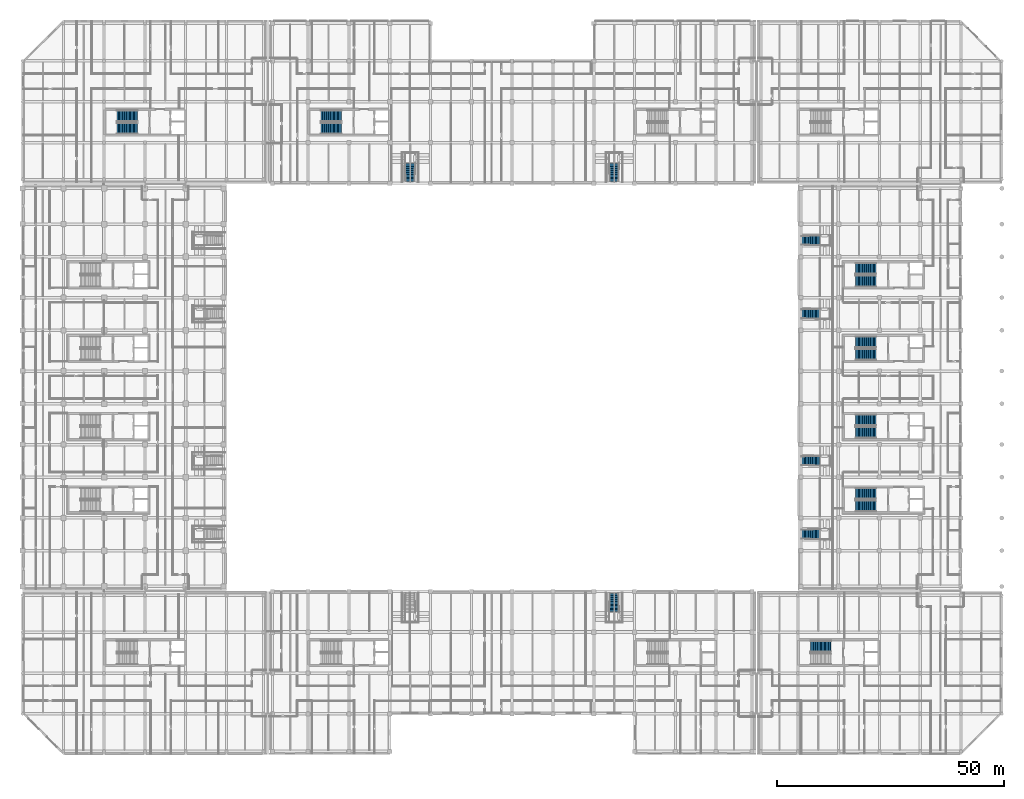
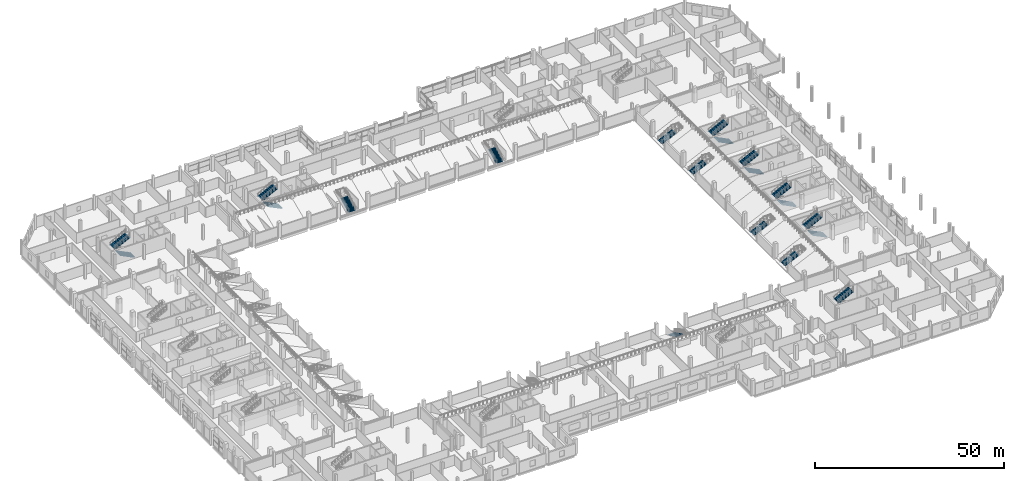
# One storey, part 73 of 100: 20 stair flights, 14 elements without a shape of their own.
"""IFC4 building model written with IfcOpenShell, lengths in metres."""

from ifc_helpers import new_model, si_unit, direction, frame, origin, place, context, subcontext, project, spatial, polyline, outline, extrude, material, type_object, element, aggregate, save


model = new_model("IFC4")

# Units and contexts
model_context = context("Model", 3, precision=1e-05, world=origin(), true_north=direction((0.0, 1.0)))
body_context = subcontext(model_context, "Body", "Model", "MODEL_VIEW")
ifc_project = project(units=[si_unit("LENGTHUNIT", "METRE"), si_unit("AREAUNIT", "SQUARE_METRE"), si_unit("VOLUMEUNIT", "CUBIC_METRE"), si_unit("PLANEANGLEUNIT", "RADIAN"), si_unit("MASSUNIT", "GRAM", prefix="KILO"), si_unit("THERMODYNAMICTEMPERATUREUNIT", "KELVIN"), si_unit("POWERUNIT", "WATT")], contexts=[model_context])

# Site, building, storey
site_placement = place(None, origin())
site = spatial("IfcSite", under=ifc_project, at=site_placement, CompositionType="ELEMENT")
building_placement = place(site_placement, origin())
building = spatial("IfcBuilding", under=site, at=building_placement, Name="Sindhuravela Promenade Stadium", CompositionType="ELEMENT")
storey_placement = place(building_placement, frame((0.0, 0.0, 4.800048828125)))
storey = spatial("IfcBuildingStorey", under=building, at=storey_placement, Name="L01", CompositionType="ELEMENT", Elevation=4.800048828125)

# Stair, stair flights
ifc_material = material(Name="Concrete M40", Category="concrete")
stair_type_1 = type_object("IfcStairType", Name="ST-CORE-DOGLEG", PredefinedType="HALF_TURN_STAIR", material=ifc_material)
stair_1_placement = place(storey_placement, origin())
stair_1 = element("IfcStair", 1, at=stair_1_placement, inside=storey, type_object=stair_type_1, Name="Protected escape stair ST05 (L01)", PredefinedType="HALF_TURN_STAIR")
stair_flight_type_1 = type_object("IfcStairFlightType", Name="SF-CORE-2400", PredefinedType="STRAIGHT", material=ifc_material)
stair_flight_1_placement = place(storey_placement, frame((188.25, 54.7900390625, 0.0), z_axis=(0.0, 0.0, 1.0), x_axis=(-1.0, 0.0, 0.0)))
stair_flight_1 = element("IfcStairFlight", 2, at=stair_flight_1_placement, type_object=stair_flight_type_1, Name="Stair ST05 lower flight (L01)", NumberOfRisers=16, NumberOfTreads=15, PredefinedType="STRAIGHT", RiserHeight=0.15, TreadLength=0.3, context=body_context, shape_type="SweptSolid", body=[
    extrude(outline(polyline([(0.0, 0.0), (0.0, 0.14990234375), (0.300048828125, 0.14990234375), (0.300048828125, 0.300048828125), (0.60009765625, 0.300048828125), (0.60009765625, 0.449951171875), (0.89990234375, 0.449951171875), (0.89990234375, 0.60009765625), (1.199951171875, 0.60009765625), (1.199951171875, 0.75), (1.5, 0.75), (1.5, 0.89990234375), (1.800048828125, 0.89990234375), (1.800048828125, 1.050048828125), (2.10009765625, 1.050048828125), (2.10009765625, 1.199951171875), (2.39990234375, 1.199951171875), (2.39990234375, 1.35009765625), (2.699951171875, 1.35009765625), (2.699951171875, 1.5), (3.0, 1.5), (3.0, 1.64990234375), (3.300048828125, 1.64990234375), (3.300048828125, 1.800048828125), (3.60009765625, 1.800048828125), (3.60009765625, 1.949951171875), (3.89990234375, 1.949951171875), (3.89990234375, 2.10009765625), (4.199951171875, 2.10009765625), (4.199951171875, 2.25), (4.5, 2.25), (4.5, 2.39990234375), (4.5, 2.0263671875), (0.447021484375, 0.0), (0.0, 0.0)])), frame((0.0, 1.25, 0.0), z_axis=(0.0, -1.0, 0.0), x_axis=(1.0, 0.0, 0.0)), (0.0, 0.0, 1.0), 2.5),
])
stair_flight_2_placement = place(storey_placement, frame((183.75, 57.610107421875, 2.39990234375), z_axis=(0.0, 0.0, 1.0), x_axis=(1.0, 0.0, 0.0)))
stair_flight_2 = element("IfcStairFlight", 3, at=stair_flight_2_placement, type_object=stair_flight_type_1, Name="Stair ST05 upper flight (L01)", NumberOfRisers=16, NumberOfTreads=15, PredefinedType="STRAIGHT", RiserHeight=0.15, TreadLength=0.3, context=body_context, shape_type="SweptSolid", body=[
    extrude(outline(polyline([(0.0, 0.0), (0.0, 0.14990234375), (0.300048828125, 0.14990234375), (0.300048828125, 0.300048828125), (0.60009765625, 0.300048828125), (0.60009765625, 0.449951171875), (0.89990234375, 0.449951171875), (0.89990234375, 0.60009765625), (1.199951171875, 0.60009765625), (1.199951171875, 0.75), (1.5, 0.75), (1.5, 0.89990234375), (1.800048828125, 0.89990234375), (1.800048828125, 1.050048828125), (2.10009765625, 1.050048828125), (2.10009765625, 1.199951171875), (2.39990234375, 1.199951171875), (2.39990234375, 1.35009765625), (2.699951171875, 1.35009765625), (2.699951171875, 1.5), (3.0, 1.5), (3.0, 1.64990234375), (3.300048828125, 1.64990234375), (3.300048828125, 1.800048828125), (3.60009765625, 1.800048828125), (3.60009765625, 1.949951171875), (3.89990234375, 1.949951171875), (3.89990234375, 2.10009765625), (4.199951171875, 2.10009765625), (4.199951171875, 2.25), (4.5, 2.25), (4.5, 2.39990234375), (4.5, 2.0263671875), (0.447021484375, 0.0), (0.0, 0.0)])), frame((0.0, 1.25, 0.0), z_axis=(0.0, -1.0, 0.0), x_axis=(1.0, 0.0, 0.0)), (0.0, 0.0, 1.0), 2.5),
])
aggregate(stair_1, [stair_flight_1, stair_flight_2])

stair_2_placement = place(storey_placement, origin())
stair_2 = element("IfcStair", 4, at=stair_2_placement, inside=storey, type_object=stair_type_1, Name="Protected escape stair ST06 (L01)", PredefinedType="HALF_TURN_STAIR")
stair_flight_3_placement = place(storey_placement, frame((188.25, 70.989990234375, 0.0), z_axis=(0.0, 0.0, 1.0), x_axis=(-1.0, 0.0, 0.0)))
stair_flight_3 = element("IfcStairFlight", 5, at=stair_flight_3_placement, type_object=stair_flight_type_1, Name="Stair ST06 lower flight (L01)", NumberOfRisers=16, NumberOfTreads=15, PredefinedType="STRAIGHT", RiserHeight=0.15, TreadLength=0.3, context=body_context, shape_type="SweptSolid", body=[
    extrude(outline(polyline([(0.0, 0.0), (0.0, 0.14990234375), (0.300048828125, 0.14990234375), (0.300048828125, 0.300048828125), (0.60009765625, 0.300048828125), (0.60009765625, 0.449951171875), (0.89990234375, 0.449951171875), (0.89990234375, 0.60009765625), (1.199951171875, 0.60009765625), (1.199951171875, 0.75), (1.5, 0.75), (1.5, 0.89990234375), (1.800048828125, 0.89990234375), (1.800048828125, 1.050048828125), (2.10009765625, 1.050048828125), (2.10009765625, 1.199951171875), (2.39990234375, 1.199951171875), (2.39990234375, 1.35009765625), (2.699951171875, 1.35009765625), (2.699951171875, 1.5), (3.0, 1.5), (3.0, 1.64990234375), (3.300048828125, 1.64990234375), (3.300048828125, 1.800048828125), (3.60009765625, 1.800048828125), (3.60009765625, 1.949951171875), (3.89990234375, 1.949951171875), (3.89990234375, 2.10009765625), (4.199951171875, 2.10009765625), (4.199951171875, 2.25), (4.5, 2.25), (4.5, 2.39990234375), (4.5, 2.0263671875), (0.447021484375, 0.0), (0.0, 0.0)])), frame((0.0, 1.25, 0.0), z_axis=(0.0, -1.0, 0.0), x_axis=(1.0, 0.0, 0.0)), (0.0, 0.0, 1.0), 2.5),
])
stair_flight_4_placement = place(storey_placement, frame((183.75, 73.81005859375, 2.39990234375), z_axis=(0.0, 0.0, 1.0), x_axis=(1.0, 0.0, 0.0)))
stair_flight_4 = element("IfcStairFlight", 6, at=stair_flight_4_placement, type_object=stair_flight_type_1, Name="Stair ST06 upper flight (L01)", NumberOfRisers=16, NumberOfTreads=15, PredefinedType="STRAIGHT", RiserHeight=0.15, TreadLength=0.3, context=body_context, shape_type="SweptSolid", body=[
    extrude(outline(polyline([(0.0, 0.0), (0.0, 0.14990234375), (0.300048828125, 0.14990234375), (0.300048828125, 0.300048828125), (0.60009765625, 0.300048828125), (0.60009765625, 0.449951171875), (0.89990234375, 0.449951171875), (0.89990234375, 0.60009765625), (1.199951171875, 0.60009765625), (1.199951171875, 0.75), (1.5, 0.75), (1.5, 0.89990234375), (1.800048828125, 0.89990234375), (1.800048828125, 1.050048828125), (2.10009765625, 1.050048828125), (2.10009765625, 1.199951171875), (2.39990234375, 1.199951171875), (2.39990234375, 1.35009765625), (2.699951171875, 1.35009765625), (2.699951171875, 1.5), (3.0, 1.5), (3.0, 1.64990234375), (3.300048828125, 1.64990234375), (3.300048828125, 1.800048828125), (3.60009765625, 1.800048828125), (3.60009765625, 1.949951171875), (3.89990234375, 1.949951171875), (3.89990234375, 2.10009765625), (4.199951171875, 2.10009765625), (4.199951171875, 2.25), (4.5, 2.25), (4.5, 2.39990234375), (4.5, 2.0263671875), (0.447021484375, 0.0), (0.0, 0.0)])), frame((0.0, 1.25, 0.0), z_axis=(0.0, -1.0, 0.0), x_axis=(1.0, 0.0, 0.0)), (0.0, 0.0, 1.0), 2.5),
])
aggregate(stair_2, [stair_flight_3, stair_flight_4])

stair_3_placement = place(storey_placement, origin())
stair_3 = element("IfcStair", 7, at=stair_3_placement, inside=storey, type_object=stair_type_1, Name="Protected escape stair ST07 (L01)", PredefinedType="HALF_TURN_STAIR")
stair_flight_5_placement = place(storey_placement, frame((188.25, 88.18994140625, 0.0), z_axis=(0.0, 0.0, 1.0), x_axis=(-1.0, 0.0, 0.0)))
stair_flight_5 = element("IfcStairFlight", 8, at=stair_flight_5_placement, type_object=stair_flight_type_1, Name="Stair ST07 lower flight (L01)", NumberOfRisers=16, NumberOfTreads=15, PredefinedType="STRAIGHT", RiserHeight=0.15, TreadLength=0.3, context=body_context, shape_type="SweptSolid", body=[
    extrude(outline(polyline([(0.0, 0.0), (0.0, 0.14990234375), (0.300048828125, 0.14990234375), (0.300048828125, 0.300048828125), (0.60009765625, 0.300048828125), (0.60009765625, 0.449951171875), (0.89990234375, 0.449951171875), (0.89990234375, 0.60009765625), (1.199951171875, 0.60009765625), (1.199951171875, 0.75), (1.5, 0.75), (1.5, 0.89990234375), (1.800048828125, 0.89990234375), (1.800048828125, 1.050048828125), (2.10009765625, 1.050048828125), (2.10009765625, 1.199951171875), (2.39990234375, 1.199951171875), (2.39990234375, 1.35009765625), (2.699951171875, 1.35009765625), (2.699951171875, 1.5), (3.0, 1.5), (3.0, 1.64990234375), (3.300048828125, 1.64990234375), (3.300048828125, 1.800048828125), (3.60009765625, 1.800048828125), (3.60009765625, 1.949951171875), (3.89990234375, 1.949951171875), (3.89990234375, 2.10009765625), (4.199951171875, 2.10009765625), (4.199951171875, 2.25), (4.5, 2.25), (4.5, 2.39990234375), (4.5, 2.0263671875), (0.447021484375, 0.0), (0.0, 0.0)])), frame((0.0, 1.25, 0.0), z_axis=(0.0, -1.0, 0.0), x_axis=(1.0, 0.0, 0.0)), (0.0, 0.0, 1.0), 2.5),
])
stair_flight_6_placement = place(storey_placement, frame((183.75, 91.010009765625, 2.39990234375), z_axis=(0.0, 0.0, 1.0), x_axis=(1.0, 0.0, 0.0)))
stair_flight_6 = element("IfcStairFlight", 9, at=stair_flight_6_placement, type_object=stair_flight_type_1, Name="Stair ST07 upper flight (L01)", NumberOfRisers=16, NumberOfTreads=15, PredefinedType="STRAIGHT", RiserHeight=0.15, TreadLength=0.3, context=body_context, shape_type="SweptSolid", body=[
    extrude(outline(polyline([(0.0, 0.0), (0.0, 0.14990234375), (0.300048828125, 0.14990234375), (0.300048828125, 0.300048828125), (0.60009765625, 0.300048828125), (0.60009765625, 0.449951171875), (0.89990234375, 0.449951171875), (0.89990234375, 0.60009765625), (1.199951171875, 0.60009765625), (1.199951171875, 0.75), (1.5, 0.75), (1.5, 0.89990234375), (1.800048828125, 0.89990234375), (1.800048828125, 1.050048828125), (2.10009765625, 1.050048828125), (2.10009765625, 1.199951171875), (2.39990234375, 1.199951171875), (2.39990234375, 1.35009765625), (2.699951171875, 1.35009765625), (2.699951171875, 1.5), (3.0, 1.5), (3.0, 1.64990234375), (3.300048828125, 1.64990234375), (3.300048828125, 1.800048828125), (3.60009765625, 1.800048828125), (3.60009765625, 1.949951171875), (3.89990234375, 1.949951171875), (3.89990234375, 2.10009765625), (4.199951171875, 2.10009765625), (4.199951171875, 2.25), (4.5, 2.25), (4.5, 2.39990234375), (4.5, 2.0263671875), (0.447021484375, 0.0), (0.0, 0.0)])), frame((0.0, 1.25, 0.0), z_axis=(0.0, -1.0, 0.0), x_axis=(1.0, 0.0, 0.0)), (0.0, 0.0, 1.0), 2.5),
])
aggregate(stair_3, [stair_flight_5, stair_flight_6])

stair_4_placement = place(storey_placement, origin())
stair_4 = element("IfcStair", 10, at=stair_4_placement, inside=storey, type_object=stair_type_1, Name="Protected escape stair ST08 (L01)", PredefinedType="HALF_TURN_STAIR")
stair_flight_7_placement = place(storey_placement, frame((188.25, 104.389892578125, 0.0), z_axis=(0.0, 0.0, 1.0), x_axis=(-1.0, 0.0, 0.0)))
stair_flight_7 = element("IfcStairFlight", 11, at=stair_flight_7_placement, type_object=stair_flight_type_1, Name="Stair ST08 lower flight (L01)", NumberOfRisers=16, NumberOfTreads=15, PredefinedType="STRAIGHT", RiserHeight=0.15, TreadLength=0.3, context=body_context, shape_type="SweptSolid", body=[
    extrude(outline(polyline([(0.0, 0.0), (0.0, 0.14990234375), (0.300048828125, 0.14990234375), (0.300048828125, 0.300048828125), (0.60009765625, 0.300048828125), (0.60009765625, 0.449951171875), (0.89990234375, 0.449951171875), (0.89990234375, 0.60009765625), (1.199951171875, 0.60009765625), (1.199951171875, 0.75), (1.5, 0.75), (1.5, 0.89990234375), (1.800048828125, 0.89990234375), (1.800048828125, 1.050048828125), (2.10009765625, 1.050048828125), (2.10009765625, 1.199951171875), (2.39990234375, 1.199951171875), (2.39990234375, 1.35009765625), (2.699951171875, 1.35009765625), (2.699951171875, 1.5), (3.0, 1.5), (3.0, 1.64990234375), (3.300048828125, 1.64990234375), (3.300048828125, 1.800048828125), (3.60009765625, 1.800048828125), (3.60009765625, 1.949951171875), (3.89990234375, 1.949951171875), (3.89990234375, 2.10009765625), (4.199951171875, 2.10009765625), (4.199951171875, 2.25), (4.5, 2.25), (4.5, 2.39990234375), (4.5, 2.0263671875), (0.447021484375, 0.0), (0.0, 0.0)])), frame((0.0, 1.25, 0.0), z_axis=(0.0, -1.0, 0.0), x_axis=(1.0, 0.0, 0.0)), (0.0, 0.0, 1.0), 2.5),
])
stair_flight_8_placement = place(storey_placement, frame((183.75, 107.2099609375, 2.39990234375), z_axis=(0.0, 0.0, 1.0), x_axis=(1.0, 0.0, 0.0)))
stair_flight_8 = element("IfcStairFlight", 12, at=stair_flight_8_placement, type_object=stair_flight_type_1, Name="Stair ST08 upper flight (L01)", NumberOfRisers=16, NumberOfTreads=15, PredefinedType="STRAIGHT", RiserHeight=0.15, TreadLength=0.3, context=body_context, shape_type="SweptSolid", body=[
    extrude(outline(polyline([(0.0, 0.0), (0.0, 0.14990234375), (0.300048828125, 0.14990234375), (0.300048828125, 0.300048828125), (0.60009765625, 0.300048828125), (0.60009765625, 0.449951171875), (0.89990234375, 0.449951171875), (0.89990234375, 0.60009765625), (1.199951171875, 0.60009765625), (1.199951171875, 0.75), (1.5, 0.75), (1.5, 0.89990234375), (1.800048828125, 0.89990234375), (1.800048828125, 1.050048828125), (2.10009765625, 1.050048828125), (2.10009765625, 1.199951171875), (2.39990234375, 1.199951171875), (2.39990234375, 1.35009765625), (2.699951171875, 1.35009765625), (2.699951171875, 1.5), (3.0, 1.5), (3.0, 1.64990234375), (3.300048828125, 1.64990234375), (3.300048828125, 1.800048828125), (3.60009765625, 1.800048828125), (3.60009765625, 1.949951171875), (3.89990234375, 1.949951171875), (3.89990234375, 2.10009765625), (4.199951171875, 2.10009765625), (4.199951171875, 2.25), (4.5, 2.25), (4.5, 2.39990234375), (4.5, 2.0263671875), (0.447021484375, 0.0), (0.0, 0.0)])), frame((0.0, 1.25, 0.0), z_axis=(0.0, -1.0, 0.0), x_axis=(1.0, 0.0, 0.0)), (0.0, 0.0, 1.0), 2.5),
])
aggregate(stair_4, [stair_flight_7, stair_flight_8])

stair_5_placement = place(storey_placement, origin())
stair_5 = element("IfcStair", 13, at=stair_5_placement, inside=storey, type_object=stair_type_1, Name="Protected escape stair ST09 (L01)", PredefinedType="HALF_TURN_STAIR")
stair_flight_9_placement = place(storey_placement, frame((70.35009765625, 138.090087890625, 0.0), z_axis=(0.0, 0.0, 1.0), x_axis=(-1.0, 0.0, 0.0)))
stair_flight_9 = element("IfcStairFlight", 14, at=stair_flight_9_placement, type_object=stair_flight_type_1, Name="Stair ST09 lower flight (L01)", NumberOfRisers=16, NumberOfTreads=15, PredefinedType="STRAIGHT", RiserHeight=0.15, TreadLength=0.3, context=body_context, shape_type="SweptSolid", body=[
    extrude(outline(polyline([(0.0, 0.0), (0.0, 0.14990234375), (0.300048828125, 0.14990234375), (0.300048828125, 0.300048828125), (0.60009765625, 0.300048828125), (0.60009765625, 0.449951171875), (0.89990234375, 0.449951171875), (0.89990234375, 0.60009765625), (1.199951171875, 0.60009765625), (1.199951171875, 0.75), (1.5, 0.75), (1.5, 0.89990234375), (1.800048828125, 0.89990234375), (1.800048828125, 1.050048828125), (2.10009765625, 1.050048828125), (2.10009765625, 1.199951171875), (2.39990234375, 1.199951171875), (2.39990234375, 1.35009765625), (2.699951171875, 1.35009765625), (2.699951171875, 1.5), (3.0, 1.5), (3.0, 1.64990234375), (3.300048828125, 1.64990234375), (3.300048828125, 1.800048828125), (3.60009765625, 1.800048828125), (3.60009765625, 1.949951171875), (3.89990234375, 1.949951171875), (3.89990234375, 2.10009765625), (4.199951171875, 2.10009765625), (4.199951171875, 2.25), (4.5, 2.25), (4.5, 2.39990234375), (4.5, 2.0263671875), (0.447021484375, 0.0), (0.0, 0.0)])), frame((0.0, 1.25, 0.0), z_axis=(0.0, -1.0, 0.0), x_axis=(1.0, 0.0, 0.0)), (0.0, 0.0, 1.0), 2.5),
])
stair_flight_10_placement = place(storey_placement, frame((65.85009765625, 140.909912109375, 2.39990234375), z_axis=(0.0, 0.0, 1.0), x_axis=(1.0, 0.0, 0.0)))
stair_flight_10 = element("IfcStairFlight", 15, at=stair_flight_10_placement, type_object=stair_flight_type_1, Name="Stair ST09 upper flight (L01)", NumberOfRisers=16, NumberOfTreads=15, PredefinedType="STRAIGHT", RiserHeight=0.15, TreadLength=0.3, context=body_context, shape_type="SweptSolid", body=[
    extrude(outline(polyline([(0.0, 0.0), (0.0, 0.14990234375), (0.300048828125, 0.14990234375), (0.300048828125, 0.300048828125), (0.60009765625, 0.300048828125), (0.60009765625, 0.449951171875), (0.89990234375, 0.449951171875), (0.89990234375, 0.60009765625), (1.199951171875, 0.60009765625), (1.199951171875, 0.75), (1.5, 0.75), (1.5, 0.89990234375), (1.800048828125, 0.89990234375), (1.800048828125, 1.050048828125), (2.10009765625, 1.050048828125), (2.10009765625, 1.199951171875), (2.39990234375, 1.199951171875), (2.39990234375, 1.35009765625), (2.699951171875, 1.35009765625), (2.699951171875, 1.5), (3.0, 1.5), (3.0, 1.64990234375), (3.300048828125, 1.64990234375), (3.300048828125, 1.800048828125), (3.60009765625, 1.800048828125), (3.60009765625, 1.949951171875), (3.89990234375, 1.949951171875), (3.89990234375, 2.10009765625), (4.199951171875, 2.10009765625), (4.199951171875, 2.25), (4.5, 2.25), (4.5, 2.39990234375), (4.5, 2.0263671875), (0.447021484375, 0.0), (0.0, 0.0)])), frame((0.0, 1.25, 0.0), z_axis=(0.0, -1.0, 0.0), x_axis=(1.0, 0.0, 0.0)), (0.0, 0.0, 1.0), 2.5),
])
aggregate(stair_5, [stair_flight_9, stair_flight_10])

# Stair, stair flight
stair_6_placement = place(storey_placement, origin())
stair_6 = element("IfcStair", 16, at=stair_6_placement, inside=storey, type_object=stair_type_1, Name="Protected escape stair GS02 (L01)", PredefinedType="HALF_TURN_STAIR")
stair_flight_11_placement = place(storey_placement, frame((173.85009765625, 23.909912109375, 2.39990234375), z_axis=(0.0, 0.0, 1.0), x_axis=(1.0, 0.0, 0.0)))
stair_flight_11 = element("IfcStairFlight", 17, at=stair_flight_11_placement, type_object=stair_flight_type_1, Name="Stair GS02 upper flight (L01)", NumberOfRisers=16, NumberOfTreads=15, PredefinedType="STRAIGHT", RiserHeight=0.15, TreadLength=0.3, context=body_context, shape_type="SweptSolid", body=[
    extrude(outline(polyline([(0.0, 0.0), (0.0, 0.14990234375), (0.300048828125, 0.14990234375), (0.300048828125, 0.300048828125), (0.60009765625, 0.300048828125), (0.60009765625, 0.449951171875), (0.89990234375, 0.449951171875), (0.89990234375, 0.60009765625), (1.199951171875, 0.60009765625), (1.199951171875, 0.75), (1.5, 0.75), (1.5, 0.89990234375), (1.800048828125, 0.89990234375), (1.800048828125, 1.050048828125), (2.10009765625, 1.050048828125), (2.10009765625, 1.199951171875), (2.39990234375, 1.199951171875), (2.39990234375, 1.35009765625), (2.699951171875, 1.35009765625), (2.699951171875, 1.5), (3.0, 1.5), (3.0, 1.64990234375), (3.300048828125, 1.64990234375), (3.300048828125, 1.800048828125), (3.60009765625, 1.800048828125), (3.60009765625, 1.949951171875), (3.89990234375, 1.949951171875), (3.89990234375, 2.10009765625), (4.199951171875, 2.10009765625), (4.199951171875, 2.25), (4.5, 2.25), (4.5, 2.39990234375), (4.5, 2.0263671875), (0.447021484375, 0.0), (0.0, 0.0)])), frame((0.0, 1.25, 0.0), z_axis=(0.0, -1.0, 0.0), x_axis=(1.0, 0.0, 0.0)), (0.0, 0.0, 1.0), 2.5),
])
aggregate(stair_6, [stair_flight_11])

# Stair, stair flights
stair_7_placement = place(storey_placement, origin())
stair_7 = element("IfcStair", 18, at=stair_7_placement, inside=storey, type_object=stair_type_1, Name="Protected escape stair GS03 (L01)", PredefinedType="HALF_TURN_STAIR")
stair_flight_12_placement = place(storey_placement, frame((25.35009765625, 138.090087890625, 0.0), z_axis=(0.0, 0.0, 1.0), x_axis=(-1.0, 0.0, 0.0)))
stair_flight_12 = element("IfcStairFlight", 19, at=stair_flight_12_placement, type_object=stair_flight_type_1, Name="Stair GS03 lower flight (L01)", NumberOfRisers=16, NumberOfTreads=15, PredefinedType="STRAIGHT", RiserHeight=0.15, TreadLength=0.3, context=body_context, shape_type="SweptSolid", body=[
    extrude(outline(polyline([(0.0, 0.0), (0.0, 0.14990234375), (0.300048828125, 0.14990234375), (0.300048828125, 0.300048828125), (0.60009765625, 0.300048828125), (0.60009765625, 0.449951171875), (0.89990234375, 0.449951171875), (0.89990234375, 0.60009765625), (1.199951171875, 0.60009765625), (1.199951171875, 0.75), (1.5, 0.75), (1.5, 0.89990234375), (1.800048828125, 0.89990234375), (1.800048828125, 1.050048828125), (2.10009765625, 1.050048828125), (2.10009765625, 1.199951171875), (2.39990234375, 1.199951171875), (2.39990234375, 1.35009765625), (2.699951171875, 1.35009765625), (2.699951171875, 1.5), (3.0, 1.5), (3.0, 1.64990234375), (3.300048828125, 1.64990234375), (3.300048828125, 1.800048828125), (3.60009765625, 1.800048828125), (3.60009765625, 1.949951171875), (3.89990234375, 1.949951171875), (3.89990234375, 2.10009765625), (4.199951171875, 2.10009765625), (4.199951171875, 2.25), (4.5, 2.25), (4.5, 2.39990234375), (4.5, 2.0263671875), (0.447021484375, 0.0), (0.0, 0.0)])), frame((0.0, 1.25, 0.0), z_axis=(0.0, -1.0, 0.0), x_axis=(1.0, 0.0, 0.0)), (0.0, 0.0, 1.0), 2.5),
])
stair_flight_13_placement = place(storey_placement, frame((20.85009765625, 140.909912109375, 2.39990234375), z_axis=(0.0, 0.0, 1.0), x_axis=(1.0, 0.0, 0.0)))
stair_flight_13 = element("IfcStairFlight", 20, at=stair_flight_13_placement, type_object=stair_flight_type_1, Name="Stair GS03 upper flight (L01)", NumberOfRisers=16, NumberOfTreads=15, PredefinedType="STRAIGHT", RiserHeight=0.15, TreadLength=0.3, context=body_context, shape_type="SweptSolid", body=[
    extrude(outline(polyline([(0.0, 0.0), (0.0, 0.14990234375), (0.300048828125, 0.14990234375), (0.300048828125, 0.300048828125), (0.60009765625, 0.300048828125), (0.60009765625, 0.449951171875), (0.89990234375, 0.449951171875), (0.89990234375, 0.60009765625), (1.199951171875, 0.60009765625), (1.199951171875, 0.75), (1.5, 0.75), (1.5, 0.89990234375), (1.800048828125, 0.89990234375), (1.800048828125, 1.050048828125), (2.10009765625, 1.050048828125), (2.10009765625, 1.199951171875), (2.39990234375, 1.199951171875), (2.39990234375, 1.35009765625), (2.699951171875, 1.35009765625), (2.699951171875, 1.5), (3.0, 1.5), (3.0, 1.64990234375), (3.300048828125, 1.64990234375), (3.300048828125, 1.800048828125), (3.60009765625, 1.800048828125), (3.60009765625, 1.949951171875), (3.89990234375, 1.949951171875), (3.89990234375, 2.10009765625), (4.199951171875, 2.10009765625), (4.199951171875, 2.25), (4.5, 2.25), (4.5, 2.39990234375), (4.5, 2.0263671875), (0.447021484375, 0.0), (0.0, 0.0)])), frame((0.0, 1.25, 0.0), z_axis=(0.0, -1.0, 0.0), x_axis=(1.0, 0.0, 0.0)), (0.0, 0.0, 1.0), 2.5),
])
aggregate(stair_7, [stair_flight_12, stair_flight_13])

# Stair, stair flight
stair_type_2 = type_object("IfcStairType", Name="ST-VOM-1", PredefinedType="STRAIGHT_RUN_STAIR", material=ifc_material)
stair_8_placement = place(storey_placement, origin())
stair_8 = element("IfcStair", 21, at=stair_8_placement, inside=storey, type_object=stair_type_2, Name="Bowl vomitory stair VS05 (L01)", PredefinedType="STRAIGHT_RUN_STAIR")
stair_flight_type_2 = type_object("IfcStairFlightType", Name="SF-VOM-1", PredefinedType="STRAIGHT", material=ifc_material)
stair_flight_14_placement = place(storey_placement, frame((171.85009765625, 48.60009765625, 0.0), z_axis=(0.0, 0.0, 1.0), x_axis=(1.0, 0.0, 0.0)))
stair_flight_14 = element("IfcStairFlight", 22, at=stair_flight_14_placement, type_object=stair_flight_type_2, Name="Vomitory VS05 flight", NumberOfRisers=15, NumberOfTreads=14, PredefinedType="STRAIGHT", RiserHeight=0.15, TreadLength=0.3, context=body_context, shape_type="SweptSolid", body=[
    extrude(outline(polyline([(0.0, 0.0), (0.0, 0.14990234375), (0.300048828125, 0.14990234375), (0.300048828125, 0.300048828125), (0.60009765625, 0.300048828125), (0.60009765625, 0.449951171875), (0.89990234375, 0.449951171875), (0.89990234375, 0.60009765625), (1.199951171875, 0.60009765625), (1.199951171875, 0.75), (1.5, 0.75), (1.5, 0.89990234375), (1.800048828125, 0.89990234375), (1.800048828125, 1.050048828125), (2.10009765625, 1.050048828125), (2.10009765625, 1.199951171875), (2.39990234375, 1.199951171875), (2.39990234375, 1.35009765625), (2.699951171875, 1.35009765625), (2.699951171875, 1.5), (3.0, 1.5), (3.0, 1.64990234375), (3.300048828125, 1.64990234375), (3.300048828125, 1.800048828125), (3.60009765625, 1.800048828125), (3.60009765625, 1.949951171875), (3.89990234375, 1.949951171875), (3.89990234375, 2.10009765625), (4.199951171875, 2.10009765625), (4.199951171875, 2.25), (4.199951171875, 1.85400390625), (0.491943359375, 0.0), (0.0, 0.0)])), frame((0.0, 1.06005859375, 0.0), z_axis=(0.0, -1.0, 0.0), x_axis=(1.0, 0.0, 0.0)), (0.0, 0.0, 1.0), 2.1201171875),
])
aggregate(stair_8, [stair_flight_14])

stair_9_placement = place(storey_placement, origin())
stair_9 = element("IfcStair", 23, at=stair_9_placement, inside=storey, type_object=stair_type_2, Name="Bowl vomitory stair VS07 (L01)", PredefinedType="STRAIGHT_RUN_STAIR")
stair_flight_15_placement = place(storey_placement, frame((171.85009765625, 97.199951171875, 0.0), z_axis=(0.0, 0.0, 1.0), x_axis=(1.0, 0.0, 0.0)))
stair_flight_15 = element("IfcStairFlight", 24, at=stair_flight_15_placement, type_object=stair_flight_type_2, Name="Vomitory VS07 flight", NumberOfRisers=15, NumberOfTreads=14, PredefinedType="STRAIGHT", RiserHeight=0.15, TreadLength=0.3, context=body_context, shape_type="SweptSolid", body=[
    extrude(outline(polyline([(0.0, 0.0), (0.0, 0.14990234375), (0.300048828125, 0.14990234375), (0.300048828125, 0.300048828125), (0.60009765625, 0.300048828125), (0.60009765625, 0.449951171875), (0.89990234375, 0.449951171875), (0.89990234375, 0.60009765625), (1.199951171875, 0.60009765625), (1.199951171875, 0.75), (1.5, 0.75), (1.5, 0.89990234375), (1.800048828125, 0.89990234375), (1.800048828125, 1.050048828125), (2.10009765625, 1.050048828125), (2.10009765625, 1.199951171875), (2.39990234375, 1.199951171875), (2.39990234375, 1.35009765625), (2.699951171875, 1.35009765625), (2.699951171875, 1.5), (3.0, 1.5), (3.0, 1.64990234375), (3.300048828125, 1.64990234375), (3.300048828125, 1.800048828125), (3.60009765625, 1.800048828125), (3.60009765625, 1.949951171875), (3.89990234375, 1.949951171875), (3.89990234375, 2.10009765625), (4.199951171875, 2.10009765625), (4.199951171875, 2.25), (4.199951171875, 1.85400390625), (0.491943359375, 0.0), (0.0, 0.0)])), frame((0.0, 1.06005859375, 0.0), z_axis=(0.0, -1.0, 0.0), x_axis=(1.0, 0.0, 0.0)), (0.0, 0.0, 1.0), 2.1201171875),
])
aggregate(stair_9, [stair_flight_15])

stair_10_placement = place(storey_placement, origin())
stair_10 = element("IfcStair", 25, at=stair_10_placement, inside=storey, type_object=stair_type_2, Name="Bowl vomitory stair VS09 (L01)", PredefinedType="STRAIGHT_RUN_STAIR")
stair_flight_16_placement = place(storey_placement, frame((85.5, 126.43994140625, 0.0), z_axis=(0.0, 0.0, 1.0), x_axis=(0.0, 1.0, 0.0)))
stair_flight_16 = element("IfcStairFlight", 26, at=stair_flight_16_placement, type_object=stair_flight_type_2, Name="Vomitory VS09 flight", NumberOfRisers=15, NumberOfTreads=14, PredefinedType="STRAIGHT", RiserHeight=0.15, TreadLength=0.3, context=body_context, shape_type="SweptSolid", body=[
    extrude(outline(polyline([(0.0, 0.0), (0.0, 0.14990234375), (0.300048828125, 0.14990234375), (0.300048828125, 0.300048828125), (0.60009765625, 0.300048828125), (0.60009765625, 0.449951171875), (0.89990234375, 0.449951171875), (0.89990234375, 0.60009765625), (1.199951171875, 0.60009765625), (1.199951171875, 0.75), (1.5, 0.75), (1.5, 0.89990234375), (1.800048828125, 0.89990234375), (1.800048828125, 1.050048828125), (2.10009765625, 1.050048828125), (2.10009765625, 1.199951171875), (2.39990234375, 1.199951171875), (2.39990234375, 1.35009765625), (2.699951171875, 1.35009765625), (2.699951171875, 1.5), (3.0, 1.5), (3.0, 1.64990234375), (3.300048828125, 1.64990234375), (3.300048828125, 1.800048828125), (3.60009765625, 1.800048828125), (3.60009765625, 1.949951171875), (3.89990234375, 1.949951171875), (3.89990234375, 2.10009765625), (4.199951171875, 2.10009765625), (4.199951171875, 2.25), (4.199951171875, 1.85400390625), (0.491943359375, 0.0), (0.0, 0.0)])), frame((0.0, 1.06005859375, 0.0), z_axis=(0.0, -1.0, 0.0), x_axis=(1.0, 0.0, 0.0)), (0.0, 0.0, 1.0), 2.1201171875),
])
aggregate(stair_10, [stair_flight_16])

stair_type_3 = type_object("IfcStairType", Name="ST-VOM-2", PredefinedType="STRAIGHT_RUN_STAIR", material=ifc_material)
stair_11_placement = place(storey_placement, origin())
stair_11 = element("IfcStair", 27, at=stair_11_placement, inside=storey, type_object=stair_type_3, Name="Bowl vomitory stair VS06 (L01)", PredefinedType="STRAIGHT_RUN_STAIR")
stair_flight_type_3 = type_object("IfcStairFlightType", Name="SF-VOM-2", PredefinedType="STRAIGHT", material=ifc_material)
stair_flight_17_placement = place(storey_placement, frame((171.85009765625, 64.800048828125, 0.0), z_axis=(0.0, 0.0, 1.0), x_axis=(1.0, 0.0, 0.0)))
stair_flight_17 = element("IfcStairFlight", 28, at=stair_flight_17_placement, type_object=stair_flight_type_3, Name="Vomitory VS06 flight", NumberOfRisers=15, NumberOfTreads=14, PredefinedType="STRAIGHT", RiserHeight=0.15, TreadLength=0.3, context=body_context, shape_type="SweptSolid", body=[
    extrude(outline(polyline([(0.0, 0.0), (0.0, 0.14990234375), (0.300048828125, 0.14990234375), (0.300048828125, 0.300048828125), (0.60009765625, 0.300048828125), (0.60009765625, 0.449951171875), (0.89990234375, 0.449951171875), (0.89990234375, 0.60009765625), (1.199951171875, 0.60009765625), (1.199951171875, 0.75), (1.5, 0.75), (1.5, 0.89990234375), (1.800048828125, 0.89990234375), (1.800048828125, 1.050048828125), (2.10009765625, 1.050048828125), (2.10009765625, 1.199951171875), (2.39990234375, 1.199951171875), (2.39990234375, 1.35009765625), (2.699951171875, 1.35009765625), (2.699951171875, 1.5), (3.0, 1.5), (3.0, 1.64990234375), (3.300048828125, 1.64990234375), (3.300048828125, 1.800048828125), (3.60009765625, 1.800048828125), (3.60009765625, 1.949951171875), (3.89990234375, 1.949951171875), (3.89990234375, 2.10009765625), (4.199951171875, 2.10009765625), (4.199951171875, 2.25), (4.199951171875, 1.85400390625), (0.491943359375, 0.0), (0.0, 0.0)])), frame((0.0, 1.02001953125, 0.0), z_axis=(0.0, -1.0, 0.0), x_axis=(1.0, 0.0, 0.0)), (0.0, 0.0, 1.0), 2.0400390625),
])
aggregate(stair_11, [stair_flight_17])

stair_12_placement = place(storey_placement, origin())
stair_12 = element("IfcStair", 29, at=stair_12_placement, inside=storey, type_object=stair_type_3, Name="Bowl vomitory stair VS08 (L01)", PredefinedType="STRAIGHT_RUN_STAIR")
stair_flight_18_placement = place(storey_placement, frame((171.85009765625, 113.39990234375, 0.0), z_axis=(0.0, 0.0, 1.0), x_axis=(1.0, 0.0, 0.0)))
stair_flight_18 = element("IfcStairFlight", 30, at=stair_flight_18_placement, type_object=stair_flight_type_3, Name="Vomitory VS08 flight", NumberOfRisers=15, NumberOfTreads=14, PredefinedType="STRAIGHT", RiserHeight=0.15, TreadLength=0.3, context=body_context, shape_type="SweptSolid", body=[
    extrude(outline(polyline([(0.0, 0.0), (0.0, 0.14990234375), (0.300048828125, 0.14990234375), (0.300048828125, 0.300048828125), (0.60009765625, 0.300048828125), (0.60009765625, 0.449951171875), (0.89990234375, 0.449951171875), (0.89990234375, 0.60009765625), (1.199951171875, 0.60009765625), (1.199951171875, 0.75), (1.5, 0.75), (1.5, 0.89990234375), (1.800048828125, 0.89990234375), (1.800048828125, 1.050048828125), (2.10009765625, 1.050048828125), (2.10009765625, 1.199951171875), (2.39990234375, 1.199951171875), (2.39990234375, 1.35009765625), (2.699951171875, 1.35009765625), (2.699951171875, 1.5), (3.0, 1.5), (3.0, 1.64990234375), (3.300048828125, 1.64990234375), (3.300048828125, 1.800048828125), (3.60009765625, 1.800048828125), (3.60009765625, 1.949951171875), (3.89990234375, 1.949951171875), (3.89990234375, 2.10009765625), (4.199951171875, 2.10009765625), (4.199951171875, 2.25), (4.199951171875, 1.85400390625), (0.491943359375, 0.0), (0.0, 0.0)])), frame((0.0, 1.02001953125, 0.0), z_axis=(0.0, -1.0, 0.0), x_axis=(1.0, 0.0, 0.0)), (0.0, 0.0, 1.0), 2.0400390625),
])
aggregate(stair_12, [stair_flight_18])

stair_13_placement = place(storey_placement, origin())
stair_13 = element("IfcStair", 31, at=stair_13_placement, inside=storey, type_object=stair_type_3, Name="Bowl vomitory stair VS10 (L01)", PredefinedType="STRAIGHT_RUN_STAIR")
stair_flight_19_placement = place(storey_placement, frame((130.5, 126.43994140625, 0.0), z_axis=(0.0, 0.0, 1.0), x_axis=(0.0, 1.0, 0.0)))
stair_flight_19 = element("IfcStairFlight", 32, at=stair_flight_19_placement, type_object=stair_flight_type_3, Name="Vomitory VS10 flight", NumberOfRisers=15, NumberOfTreads=14, PredefinedType="STRAIGHT", RiserHeight=0.15, TreadLength=0.3, context=body_context, shape_type="SweptSolid", body=[
    extrude(outline(polyline([(0.0, 0.0), (0.0, 0.14990234375), (0.300048828125, 0.14990234375), (0.300048828125, 0.300048828125), (0.60009765625, 0.300048828125), (0.60009765625, 0.449951171875), (0.89990234375, 0.449951171875), (0.89990234375, 0.60009765625), (1.199951171875, 0.60009765625), (1.199951171875, 0.75), (1.5, 0.75), (1.5, 0.89990234375), (1.800048828125, 0.89990234375), (1.800048828125, 1.050048828125), (2.10009765625, 1.050048828125), (2.10009765625, 1.199951171875), (2.39990234375, 1.199951171875), (2.39990234375, 1.35009765625), (2.699951171875, 1.35009765625), (2.699951171875, 1.5), (3.0, 1.5), (3.0, 1.64990234375), (3.300048828125, 1.64990234375), (3.300048828125, 1.800048828125), (3.60009765625, 1.800048828125), (3.60009765625, 1.949951171875), (3.89990234375, 1.949951171875), (3.89990234375, 2.10009765625), (4.199951171875, 2.10009765625), (4.199951171875, 2.25), (4.199951171875, 1.85400390625), (0.491943359375, 0.0), (0.0, 0.0)])), frame((0.0, 1.02001953125, 0.0), z_axis=(0.0, -1.0, 0.0), x_axis=(1.0, 0.0, 0.0)), (0.0, 0.0, 1.0), 2.0400390625),
])
aggregate(stair_13, [stair_flight_19])

stair_14_placement = place(storey_placement, origin())
stair_14 = element("IfcStair", 33, at=stair_14_placement, inside=storey, type_object=stair_type_3, Name="Bowl vomitory stair VS12 (L01)", PredefinedType="STRAIGHT_RUN_STAIR")
stair_flight_20_placement = place(storey_placement, frame((130.5, 35.56005859375, 0.0), z_axis=(0.0, 0.0, 1.0), x_axis=(0.0, -1.0, 0.0)))
stair_flight_20 = element("IfcStairFlight", 34, at=stair_flight_20_placement, type_object=stair_flight_type_3, Name="Vomitory VS12 flight", NumberOfRisers=15, NumberOfTreads=14, PredefinedType="STRAIGHT", RiserHeight=0.15, TreadLength=0.3, context=body_context, shape_type="SweptSolid", body=[
    extrude(outline(polyline([(0.0, 0.0), (0.0, 0.14990234375), (0.300048828125, 0.14990234375), (0.300048828125, 0.300048828125), (0.60009765625, 0.300048828125), (0.60009765625, 0.449951171875), (0.89990234375, 0.449951171875), (0.89990234375, 0.60009765625), (1.199951171875, 0.60009765625), (1.199951171875, 0.75), (1.5, 0.75), (1.5, 0.89990234375), (1.800048828125, 0.89990234375), (1.800048828125, 1.050048828125), (2.10009765625, 1.050048828125), (2.10009765625, 1.199951171875), (2.39990234375, 1.199951171875), (2.39990234375, 1.35009765625), (2.699951171875, 1.35009765625), (2.699951171875, 1.5), (3.0, 1.5), (3.0, 1.64990234375), (3.300048828125, 1.64990234375), (3.300048828125, 1.800048828125), (3.60009765625, 1.800048828125), (3.60009765625, 1.949951171875), (3.89990234375, 1.949951171875), (3.89990234375, 2.10009765625), (4.199951171875, 2.10009765625), (4.199951171875, 2.25), (4.199951171875, 1.85400390625), (0.491943359375, 0.0), (0.0, 0.0)])), frame((0.0, 1.02001953125, 0.0), z_axis=(0.0, -1.0, 0.0), x_axis=(1.0, 0.0, 0.0)), (0.0, 0.0, 1.0), 2.0400390625),
])
aggregate(stair_14, [stair_flight_20])

save(model, "model.ifc")
